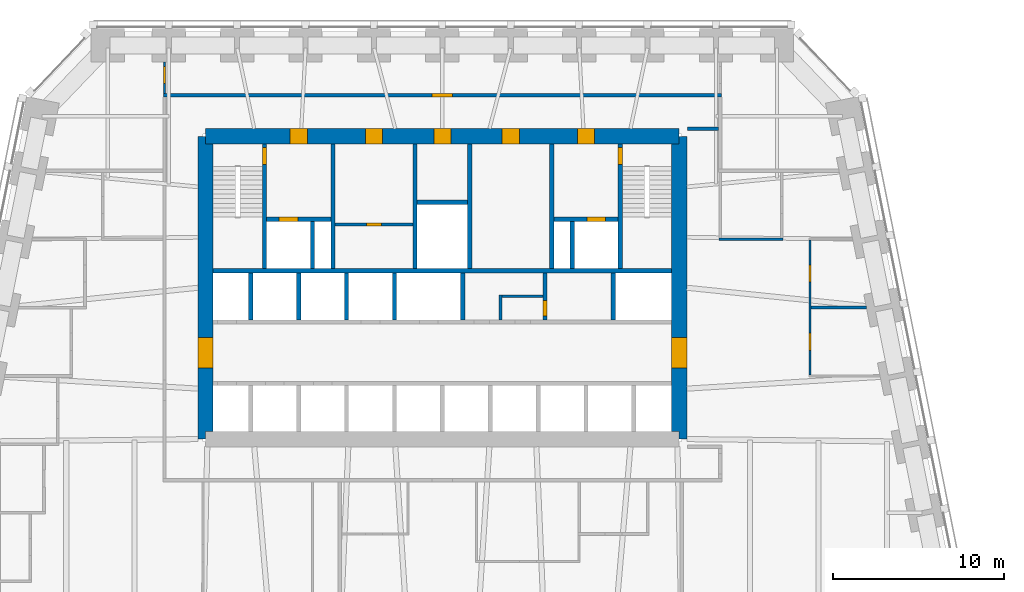
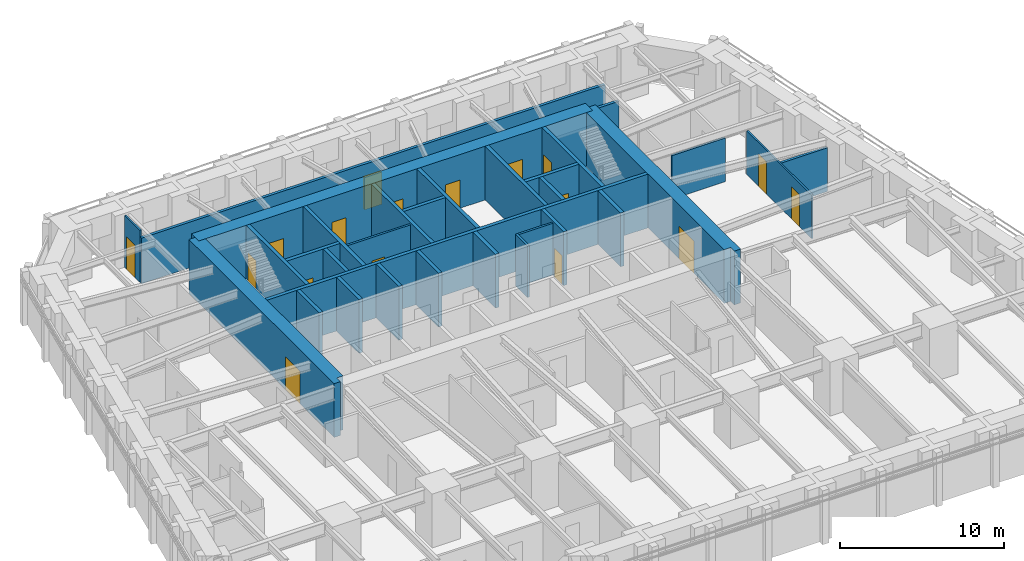
# One storey, part 7 of 10: 31 walls, 17 doors, 17 openings.
"""IFC4 building model written with IfcOpenShell, lengths in metres."""

from ifc_helpers import new_model, si_unit, direction, frame, frame_2d, origin, place, context, subcontext, project, spatial, polyline, rectangle, outline, extrude, material, layer, layer_set, type_object, element, fill, save


model = new_model("IFC4")

# Units and contexts
model_context = context("Model", 3, precision=1e-05, world=origin(), true_north=direction((0.0, 1.0)))
body_context = subcontext(model_context, "Body", "Model", "MODEL_VIEW")
ifc_project = project(units=[si_unit("LENGTHUNIT", "METRE"), si_unit("AREAUNIT", "SQUARE_METRE"), si_unit("VOLUMEUNIT", "CUBIC_METRE"), si_unit("PLANEANGLEUNIT", "RADIAN"), si_unit("MASSUNIT", "GRAM", prefix="KILO")], contexts=[model_context])

# Site, building, storey
site_placement = place(None, origin())
site = spatial("IfcSite", under=ifc_project, at=site_placement, CompositionType="ELEMENT")
building_placement = place(site_placement, origin())
building = spatial("IfcBuilding", under=site, at=building_placement, Name="Isbrekke Arena Tower", CompositionType="ELEMENT")
storey_placement = place(building_placement, frame((0.0, 0.0, 56.0)))
storey = spatial("IfcBuildingStorey", under=building, at=storey_placement, Name="L11", CompositionType="ELEMENT", Elevation=56.0)

# Wall, opening, door
ifc_material_1 = material(Name="Concrete B65 (C65/80)", Category="concrete")
ifc_layer_1 = layer(ifc_material_1, 0.89990234375)
ifc_layer_set_1 = layer_set([ifc_layer_1], Name="CW2 CORE WALL 900")
wall_type_1 = type_object("IfcWallType", Name="CW2 CORE WALL 900", PredefinedType="SHEAR", material=ifc_layer_set_1)
wall_1_placement = place(storey_placement, frame((13.85009765625, 6.14990234375, 0.0), z_axis=(0.0, 0.0, 1.0), x_axis=(0.0, 1.0, 0.0)))
wall_1 = element("IfcWall", 1, at=wall_1_placement, inside=storey, type_object=wall_type_1, Name="Core wall E L11", PredefinedType="SHEAR", context=body_context, shape_type="SweptSolid", body=[
    extrude(outline(polyline([(0.0, -0.449951171875), (17.7001953125, -0.449951171875), (17.7001953125, 0.0), (17.250244140625, 0.0), (17.250244140625, 0.449951171875), (0.449951171875, 0.449951171875), (0.449951171875, 0.0), (0.0, 0.0), (0.0, -0.449951171875)])), origin(), (0.0, 0.0, 1.0), 4.0),
])
opening_1_placement = place(wall_1_placement, frame((4.14990234375, 0.0, 0.0)))
opening_1 = element("IfcOpeningElement", 2, at=opening_1_placement, cuts=wall_1, Name="Opening D1", PredefinedType="OPENING", context=body_context, shape_type="SweptSolid", body=[
    extrude(rectangle(XDim=1.800048828125, YDim=2.39990234375, at=frame_2d((0.89990234375, 1.199951171875))), frame((0.0, 0.46484375, 0.0), z_axis=(0.0, -1.0, 0.0), x_axis=(1.0, 0.0, 0.0)), (0.0, 0.0, 1.0), 0.9296875),
])
ifc_material_2 = material(Name="Steel-framed glazed fire door", Category="steel")
door_type_1 = type_object("IfcDoorType", Name="D1 CORE LOBBY DOOR 1800 x 2400", OperationType="DOUBLE_DOOR_SINGLE_SWING", PredefinedType="DOOR", material=ifc_material_2)
door_1_placement = place(opening_1_placement, origin())
door_1 = element("IfcDoor", 3, at=door_1_placement, inside=storey, type_object=door_type_1, Name="D1 lift lobby door east L11", OperationType="DOUBLE_DOOR_SINGLE_SWING", OverallHeight=2.39990234375, OverallWidth=1.800048828125, PredefinedType="DOOR", context=body_context, shape_type="SweptSolid", body=[
    extrude(rectangle(XDim=1.800048828125, YDim=2.39990234375, at=frame_2d((0.89990234375, 1.199951171875))), frame((0.0, 0.44970703125, 0.0), z_axis=(0.0, -1.0, 0.0), x_axis=(1.0, 0.0, 0.0)), (0.0, 0.0, 1.0), 0.8994140625),
])
fill(opening_1, door_1)

# Wall, openings, doors
wall_2_placement = place(storey_placement, frame((13.85009765625, 23.85009765625, 0.0), z_axis=(0.0, 0.0, 1.0), x_axis=(-1.0, 0.0, 0.0)))
wall_2 = element("IfcWall", 4, at=wall_2_placement, inside=storey, type_object=wall_type_1, Name="Core wall N L11", PredefinedType="SHEAR", context=body_context, shape_type="SweptSolid", body=[
    extrude(rectangle(XDim=27.7001953125, YDim=0.89990234375, at=frame_2d((13.85009765625, 0.0))), origin(), (0.0, 0.0, 1.0), 4.0),
])
opening_2_placement = place(wall_2_placement, frame((21.75, 0.0, 0.0)))
opening_2 = element("IfcOpeningElement", 5, at=opening_2_placement, cuts=wall_2, Name="Opening D3", PredefinedType="OPENING", context=body_context, shape_type="SweptSolid", body=[
    extrude(rectangle(XDim=1.0, YDim=2.10009765625, at=frame_2d((0.5, 1.050048828125))), frame((0.0, 0.46484375, 0.0), z_axis=(0.0, -1.0, 0.0), x_axis=(1.0, 0.0, 0.0)), (0.0, 0.0, 1.0), 0.9296875),
])
opening_3_placement = place(wall_2_placement, frame((4.949951171875, 0.0, 0.0)))
opening_3 = element("IfcOpeningElement", 6, at=opening_3_placement, cuts=wall_2, Name="Opening D3", PredefinedType="OPENING", context=body_context, shape_type="SweptSolid", body=[
    extrude(rectangle(XDim=1.0, YDim=2.10009765625, at=frame_2d((0.5, 1.050048828125))), frame((0.0, 0.46484375, 0.0), z_axis=(0.0, -1.0, 0.0), x_axis=(1.0, 0.0, 0.0)), (0.0, 0.0, 1.0), 0.9296875),
])
opening_4_placement = place(wall_2_placement, frame((17.35009765625, 0.0, 0.0)))
opening_4 = element("IfcOpeningElement", 7, at=opening_4_placement, cuts=wall_2, Name="Opening D4", PredefinedType="OPENING", context=body_context, shape_type="SweptSolid", body=[
    extrude(rectangle(XDim=1.0, YDim=2.10009765625, at=frame_2d((0.5, 1.050048828125))), frame((0.0, 0.46484375, 0.0), z_axis=(0.0, -1.0, 0.0), x_axis=(1.0, 0.0, 0.0)), (0.0, 0.0, 1.0), 0.9296875),
])
opening_5_placement = place(wall_2_placement, frame((13.35009765625, 0.0, 0.0)))
opening_5 = element("IfcOpeningElement", 8, at=opening_5_placement, cuts=wall_2, Name="Opening D4", PredefinedType="OPENING", context=body_context, shape_type="SweptSolid", body=[
    extrude(rectangle(XDim=1.0, YDim=2.10009765625, at=frame_2d((0.5, 1.050048828125))), frame((0.0, 0.46484375, 0.0), z_axis=(0.0, -1.0, 0.0), x_axis=(1.0, 0.0, 0.0)), (0.0, 0.0, 1.0), 0.9296875),
])
opening_6_placement = place(wall_2_placement, frame((9.35009765625, 0.0, 0.0)))
opening_6 = element("IfcOpeningElement", 9, at=opening_6_placement, cuts=wall_2, Name="Opening D4", PredefinedType="OPENING", context=body_context, shape_type="SweptSolid", body=[
    extrude(rectangle(XDim=1.0, YDim=2.10009765625, at=frame_2d((0.5, 1.050048828125))), frame((0.0, 0.46484375, 0.0), z_axis=(0.0, -1.0, 0.0), x_axis=(1.0, 0.0, 0.0)), (0.0, 0.0, 1.0), 0.9296875),
])
ifc_material_3 = material(Name="Steel fire door", Category="steel")
door_type_2 = type_object("IfcDoorType", Name="D3 FIRE LOBBY DOOR 1000 x 2100", OperationType="SINGLE_SWING_RIGHT", PredefinedType="DOOR", material=ifc_material_3)
door_2_placement = place(opening_2_placement, origin())
door_2 = element("IfcDoor", 10, at=door_2_placement, inside=storey, type_object=door_type_2, Name="D3 fire-fighting lobby door L11", OperationType="SINGLE_SWING_RIGHT", OverallHeight=2.10009765625, OverallWidth=1.0, PredefinedType="DOOR", context=body_context, shape_type="SweptSolid", body=[
    extrude(rectangle(XDim=1.0, YDim=2.10009765625, at=frame_2d((0.5, 1.050048828125))), frame((0.0, 0.44970703125, 0.0), z_axis=(0.0, -1.0, 0.0), x_axis=(1.0, 0.0, 0.0)), (0.0, 0.0, 1.0), 0.8994140625),
])
fill(opening_2, door_2)
door_3_placement = place(opening_3_placement, origin())
door_3 = element("IfcDoor", 11, at=door_3_placement, inside=storey, type_object=door_type_2, Name="D3 fire-fighting lobby door L11", OperationType="SINGLE_SWING_RIGHT", OverallHeight=2.10009765625, OverallWidth=1.0, PredefinedType="DOOR", context=body_context, shape_type="SweptSolid", body=[
    extrude(rectangle(XDim=1.0, YDim=2.10009765625, at=frame_2d((0.5, 1.050048828125))), frame((0.0, 0.44970703125, 0.0), z_axis=(0.0, -1.0, 0.0), x_axis=(1.0, 0.0, 0.0)), (0.0, 0.0, 1.0), 0.8994140625),
])
fill(opening_3, door_3)
ifc_material_4 = material(Name="Timber door", Category="wood")
door_type_3 = type_object("IfcDoorType", Name="D4 WC DOOR 1000 x 2100", OperationType="SINGLE_SWING_LEFT", PredefinedType="DOOR", material=ifc_material_4)
door_4_placement = place(opening_4_placement, origin())
door_4 = element("IfcDoor", 12, at=door_4_placement, inside=storey, type_object=door_type_3, Name="D4 wc female door L11", OperationType="SINGLE_SWING_LEFT", OverallHeight=2.10009765625, OverallWidth=1.0, PredefinedType="DOOR", context=body_context, shape_type="SweptSolid", body=[
    extrude(rectangle(XDim=1.0, YDim=2.10009765625, at=frame_2d((0.5, 1.050048828125))), frame((0.0, 0.44970703125, 0.0), z_axis=(0.0, -1.0, 0.0), x_axis=(1.0, 0.0, 0.0)), (0.0, 0.0, 1.0), 0.8994140625),
])
fill(opening_4, door_4)
door_5_placement = place(opening_5_placement, origin())
door_5 = element("IfcDoor", 13, at=door_5_placement, inside=storey, type_object=door_type_3, Name="D4 accessible wc door L11", OperationType="SINGLE_SWING_LEFT", OverallHeight=2.10009765625, OverallWidth=1.0, PredefinedType="DOOR", context=body_context, shape_type="SweptSolid", body=[
    extrude(rectangle(XDim=1.0, YDim=2.10009765625, at=frame_2d((0.5, 1.050048828125))), frame((0.0, 0.44970703125, 0.0), z_axis=(0.0, -1.0, 0.0), x_axis=(1.0, 0.0, 0.0)), (0.0, 0.0, 1.0), 0.8994140625),
])
fill(opening_5, door_5)
door_6_placement = place(opening_6_placement, origin())
door_6 = element("IfcDoor", 14, at=door_6_placement, inside=storey, type_object=door_type_3, Name="D4 wc male door L11", OperationType="SINGLE_SWING_LEFT", OverallHeight=2.10009765625, OverallWidth=1.0, PredefinedType="DOOR", context=body_context, shape_type="SweptSolid", body=[
    extrude(rectangle(XDim=1.0, YDim=2.10009765625, at=frame_2d((0.5, 1.050048828125))), frame((0.0, 0.44970703125, 0.0), z_axis=(0.0, -1.0, 0.0), x_axis=(1.0, 0.0, 0.0)), (0.0, 0.0, 1.0), 0.8994140625),
])
fill(opening_6, door_6)

# Wall, opening, door
wall_3_placement = place(storey_placement, frame((-13.85009765625, 23.85009765625, 0.0), z_axis=(0.0, 0.0, 1.0), x_axis=(0.0, -1.0, 0.0)))
wall_3 = element("IfcWall", 15, at=wall_3_placement, inside=storey, type_object=wall_type_1, Name="Core wall W L11", PredefinedType="SHEAR", context=body_context, shape_type="SweptSolid", body=[
    extrude(outline(polyline([(0.0, -0.449951171875), (17.7001953125, -0.449951171875), (17.7001953125, 0.0), (17.250244140625, 0.0), (17.250244140625, 0.449951171875), (0.449951171875, 0.449951171875), (0.449951171875, 0.0), (0.0, 0.0), (0.0, -0.449951171875)])), origin(), (0.0, 0.0, 1.0), 4.0),
])
opening_7_placement = place(wall_3_placement, frame((11.75, 0.0, 0.0)))
opening_7 = element("IfcOpeningElement", 16, at=opening_7_placement, cuts=wall_3, Name="Opening D1", PredefinedType="OPENING", context=body_context, shape_type="SweptSolid", body=[
    extrude(rectangle(XDim=1.800048828125, YDim=2.39990234375, at=frame_2d((0.89990234375, 1.199951171875))), frame((0.0, 0.46484375, 0.0), z_axis=(0.0, -1.0, 0.0), x_axis=(1.0, 0.0, 0.0)), (0.0, 0.0, 1.0), 0.9296875),
])
door_7_placement = place(opening_7_placement, origin())
door_7 = element("IfcDoor", 17, at=door_7_placement, inside=storey, type_object=door_type_1, Name="D1 lift lobby door west L11", OperationType="DOUBLE_DOOR_SINGLE_SWING", OverallHeight=2.39990234375, OverallWidth=1.800048828125, PredefinedType="DOOR", context=body_context, shape_type="SweptSolid", body=[
    extrude(rectangle(XDim=1.800048828125, YDim=2.39990234375, at=frame_2d((0.89990234375, 1.199951171875))), frame((0.0, 0.44970703125, 0.0), z_axis=(0.0, -1.0, 0.0), x_axis=(1.0, 0.0, 0.0)), (0.0, 0.0, 1.0), 0.8994140625),
])
fill(opening_7, door_7)

# Walls
ifc_material_5 = material(Name="Concrete B45 (C45/55)", Category="concrete")
ifc_layer_2 = layer(ifc_material_5, 0.25)
ifc_layer_set_2 = layer_set([ifc_layer_2], Name="CW6 SHAFT WALL 250")
wall_type_2 = type_object("IfcWallType", Name="CW6 SHAFT WALL 250", PredefinedType="SHEAR", material=ifc_layer_set_2)
wall_4_placement = place(storey_placement, frame((-13.39990234375, 16.0, 0.0), z_axis=(0.0, 0.0, 1.0), x_axis=(1.0, 0.0, 0.0)))
element("IfcWall", 18, at=wall_4_placement, inside=storey, type_object=wall_type_2, Name="Core wall NB L11", PredefinedType="SHEAR", context=body_context, shape_type="SweptSolid", body=[
    extrude(rectangle(XDim=26.7998046875, YDim=0.25, at=frame_2d((13.39990234375, 0.0))), origin(), (0.0, 0.0, 1.0), 4.0),
])
for number, where, z_axis, x_axis, name in (
    (19, (-11.199951171875, 13.125, 0.0), (0.0, 0.0, 1.0), (0.0, 1.0, 0.0), "Core wall SN01 L11"),
    (20, (-8.39990234375, 13.125, 0.0), (0.0, 0.0, 1.0), (0.0, 1.0, 0.0), "Core wall SN02 L11"),
    (21, (-5.60009765625, 13.125, 0.0), (0.0, 0.0, 1.0), (0.0, 1.0, 0.0), "Core wall SN03 L11"),
    (22, (-2.800048828125, 13.125, 0.0), (0.0, 0.0, 1.0), (0.0, 1.0, 0.0), "Core wall SN04 L11"),
    (23, (1.199951171875, 13.125, 0.0), (0.0, 0.0, 1.0), (0.0, 1.0, 0.0), "Core wall SN05 L11"),
):
    element("IfcWall", number, at=place(storey_placement, frame(where, z_axis=z_axis, x_axis=x_axis)), inside=storey, type_object=wall_type_2, Name=name, PredefinedType="SHEAR", context=body_context, shape_type="SweptSolid", body=[
        extrude(rectangle(XDim=2.75, YDim=0.25, at=frame_2d((1.375, 0.0))), origin(), (0.0, 0.0, 1.0), 4.0),
    ])

# Wall, opening, door
wall_5_placement = place(storey_placement, frame((6.0, 13.125, 0.0), z_axis=(0.0, 0.0, 1.0), x_axis=(0.0, 1.0, 0.0)))
wall_5 = element("IfcWall", 24, at=wall_5_placement, inside=storey, type_object=wall_type_2, Name="Core wall SN06 L11", PredefinedType="SHEAR", context=body_context, shape_type="SweptSolid", body=[
    extrude(rectangle(XDim=2.75, YDim=0.25, at=frame_2d((1.375, 0.0))), origin(), (0.0, 0.0, 1.0), 4.0),
])
opening_8_placement = place(wall_5_placement, frame((0.22509765625, 0.0, 0.0)))
opening_8 = element("IfcOpeningElement", 25, at=opening_8_placement, cuts=wall_5, Name="Opening D5", PredefinedType="OPENING", context=body_context, shape_type="SweptSolid", body=[
    extrude(rectangle(XDim=0.89990234375, YDim=2.10009765625, at=frame_2d((0.449951171875, 1.050048828125))), frame((0.0, 0.139892578125, 0.0), z_axis=(0.0, -1.0, 0.0), x_axis=(1.0, 0.0, 0.0)), (0.0, 0.0, 1.0), 0.27978515625),
])
ifc_material_6 = material(Name="Steel fire door", Category="steel")
door_type_4 = type_object("IfcDoorType", Name="D5 SERVICE DOOR 900 x 2100", OperationType="SINGLE_SWING_LEFT", PredefinedType="DOOR", material=ifc_material_6)
door_8_placement = place(opening_8_placement, frame((0.89990234375, 0.0, 0.0), z_axis=(0.0, 0.0, 1.0), x_axis=(-1.0, 0.0, 0.0)))
door_8 = element("IfcDoor", 26, at=door_8_placement, inside=storey, type_object=door_type_4, Name="D5 store door L11", OperationType="SINGLE_SWING_LEFT", OverallHeight=2.10009765625, OverallWidth=0.89990234375, PredefinedType="DOOR", context=body_context, shape_type="SweptSolid", body=[
    extrude(rectangle(XDim=0.89990234375, YDim=2.10009765625, at=frame_2d((0.449951171875, 1.050048828125))), frame((0.0, 0.124755859375, 0.0), z_axis=(0.0, -1.0, 0.0), x_axis=(1.0, 0.0, 0.0)), (0.0, 0.0, 1.0), 0.24951171875),
])
fill(opening_8, door_8)

# Wall
wall_6_placement = place(storey_placement, frame((10.0, 13.125, 0.0), z_axis=(0.0, 0.0, 1.0), x_axis=(0.0, 1.0, 0.0)))
element("IfcWall", 27, at=wall_6_placement, inside=storey, type_object=wall_type_2, Name="Core wall SN07 L11", PredefinedType="SHEAR", context=body_context, shape_type="SweptSolid", body=[
    extrude(rectangle(XDim=2.75, YDim=0.25, at=frame_2d((1.375, 0.0))), origin(), (0.0, 0.0, 1.0), 4.0),
])

# Wall, opening, door
wall_7_placement = place(storey_placement, frame((-10.39990234375, 16.125, 0.0), z_axis=(0.0, 0.0, 1.0), x_axis=(0.0, 1.0, 0.0)))
wall_7 = element("IfcWall", 28, at=wall_7_placement, inside=storey, type_object=wall_type_2, Name="Core wall NV01 L11", PredefinedType="SHEAR", context=body_context, shape_type="SweptSolid", body=[
    extrude(rectangle(XDim=7.27490234375, YDim=0.25, at=frame_2d((3.637451171875, 0.0))), origin(), (0.0, 0.0, 1.0), 4.0),
])
opening_9_placement = place(wall_7_placement, frame((6.074951171875, 0.0, 0.0)))
opening_9 = element("IfcOpeningElement", 29, at=opening_9_placement, cuts=wall_7, Name="Opening D2", PredefinedType="OPENING", context=body_context, shape_type="SweptSolid", body=[
    extrude(rectangle(XDim=1.0, YDim=2.10009765625, at=frame_2d((0.5, 1.050048828125))), frame((0.0, 0.139892578125, 0.0), z_axis=(0.0, -1.0, 0.0), x_axis=(1.0, 0.0, 0.0)), (0.0, 0.0, 1.0), 0.27978515625),
])
ifc_material_7 = material(Name="Steel fire door", Category="steel")
door_type_5 = type_object("IfcDoorType", Name="D2 STAIR DOOR 1000 x 2100", OperationType="SINGLE_SWING_LEFT", PredefinedType="DOOR", material=ifc_material_7)
door_9_placement = place(opening_9_placement, origin())
door_9 = element("IfcDoor", 30, at=door_9_placement, inside=storey, type_object=door_type_5, Name="D2 stair door ST1 L11", OperationType="SINGLE_SWING_LEFT", OverallHeight=2.10009765625, OverallWidth=1.0, PredefinedType="DOOR", context=body_context, shape_type="SweptSolid", body=[
    extrude(rectangle(XDim=1.0, YDim=2.10009765625, at=frame_2d((0.5, 1.050048828125))), frame((0.0, 0.124755859375, 0.0), z_axis=(0.0, -1.0, 0.0), x_axis=(1.0, 0.0, 0.0)), (0.0, 0.0, 1.0), 0.24951171875),
])
fill(opening_9, door_9)

# Walls
for number, where, z_axis, x_axis, name in (
    (31, (-6.39990234375, 16.125, 0.0), (0.0, 0.0, 1.0), (0.0, 1.0, 0.0), "Core wall NV02 L11"),
    (32, (-1.60009765625, 16.125, 0.0), (0.0, 0.0, 1.0), (0.0, 1.0, 0.0), "Core wall NV03 L11"),
    (33, (1.60009765625, 16.125, 0.0), (0.0, 0.0, 1.0), (0.0, 1.0, 0.0), "Core wall NV04 L11"),
    (34, (6.39990234375, 16.125, 0.0), (0.0, 0.0, 1.0), (0.0, 1.0, 0.0), "Core wall NV05 L11"),
):
    element("IfcWall", number, at=place(storey_placement, frame(where, z_axis=z_axis, x_axis=x_axis)), inside=storey, type_object=wall_type_2, Name=name, PredefinedType="SHEAR", context=body_context, shape_type="SweptSolid", body=[
        extrude(rectangle(XDim=7.27490234375, YDim=0.25, at=frame_2d((3.637451171875, 0.0))), origin(), (0.0, 0.0, 1.0), 4.0),
    ])

# Wall, opening, door
wall_8_placement = place(storey_placement, frame((10.39990234375, 16.125, 0.0), z_axis=(0.0, 0.0, 1.0), x_axis=(0.0, 1.0, 0.0)))
wall_8 = element("IfcWall", 35, at=wall_8_placement, inside=storey, type_object=wall_type_2, Name="Core wall NV06 L11", PredefinedType="SHEAR", context=body_context, shape_type="SweptSolid", body=[
    extrude(rectangle(XDim=7.27490234375, YDim=0.25, at=frame_2d((3.637451171875, 0.0))), origin(), (0.0, 0.0, 1.0), 4.0),
])
opening_10_placement = place(wall_8_placement, frame((6.074951171875, 0.0, 0.0)))
opening_10 = element("IfcOpeningElement", 36, at=opening_10_placement, cuts=wall_8, Name="Opening D2", PredefinedType="OPENING", context=body_context, shape_type="SweptSolid", body=[
    extrude(rectangle(XDim=1.0, YDim=2.10009765625, at=frame_2d((0.5, 1.050048828125))), frame((0.0, 0.139892578125, 0.0), z_axis=(0.0, -1.0, 0.0), x_axis=(1.0, 0.0, 0.0)), (0.0, 0.0, 1.0), 0.27978515625),
])
door_10_placement = place(opening_10_placement, origin())
door_10 = element("IfcDoor", 37, at=door_10_placement, inside=storey, type_object=door_type_5, Name="D2 stair door ST2 L11", OperationType="SINGLE_SWING_LEFT", OverallHeight=2.10009765625, OverallWidth=1.0, PredefinedType="DOOR", context=body_context, shape_type="SweptSolid", body=[
    extrude(rectangle(XDim=1.0, YDim=2.10009765625, at=frame_2d((0.5, 1.050048828125))), frame((0.0, 0.124755859375, 0.0), z_axis=(0.0, -1.0, 0.0), x_axis=(1.0, 0.0, 0.0)), (0.0, 0.0, 1.0), 0.24951171875),
])
fill(opening_10, door_10)

wall_9_placement = place(storey_placement, frame((-10.27490234375, 19.0, 0.0), z_axis=(0.0, 0.0, 1.0), x_axis=(1.0, 0.0, 0.0)))
wall_9 = element("IfcWall", 38, at=wall_9_placement, inside=storey, type_object=wall_type_2, Name="Core wall NFW L11", PredefinedType="SHEAR", context=body_context, shape_type="SweptSolid", body=[
    extrude(rectangle(XDim=3.75, YDim=0.25, at=frame_2d((1.875, 0.0))), origin(), (0.0, 0.0, 1.0), 4.0),
])
opening_11_placement = place(wall_9_placement, frame((0.72509765625, 0.0, 0.0)))
opening_11 = element("IfcOpeningElement", 39, at=opening_11_placement, cuts=wall_9, Name="Opening LD2", PredefinedType="OPENING", context=body_context, shape_type="SweptSolid", body=[
    extrude(rectangle(XDim=1.10009765625, YDim=2.10009765625, at=frame_2d((0.550048828125, 1.050048828125))), frame((0.0, 0.139892578125, 0.0), z_axis=(0.0, -1.0, 0.0), x_axis=(1.0, 0.0, 0.0)), (0.0, 0.0, 1.0), 0.27978515625),
])
ifc_material_8 = material(Name="Stainless steel lift landing door", Category="steel")
door_type_6 = type_object("IfcDoorType", Name="LD2 FIRE-FIGHTING LIFT LANDING DOOR 1100 x 2100", OperationType="SLIDING_TO_RIGHT", PredefinedType="DOOR", material=ifc_material_8)
door_11_placement = place(opening_11_placement, origin())
door_11 = element("IfcDoor", 40, at=door_11_placement, inside=storey, type_object=door_type_6, Name="LD2 lift landing door LF L11", OperationType="SLIDING_TO_RIGHT", OverallHeight=2.10009765625, OverallWidth=1.10009765625, PredefinedType="DOOR", context=body_context, shape_type="SweptSolid", body=[
    extrude(rectangle(XDim=1.10009765625, YDim=2.10009765625, at=frame_2d((0.550048828125, 1.050048828125))), frame((0.0, 0.124755859375, 0.0), z_axis=(0.0, -1.0, 0.0), x_axis=(1.0, 0.0, 0.0)), (0.0, 0.0, 1.0), 0.24951171875),
])
fill(opening_11, door_11)

wall_10_placement = place(storey_placement, frame((6.52490234375, 19.0, 0.0), z_axis=(0.0, 0.0, 1.0), x_axis=(1.0, 0.0, 0.0)))
wall_10 = element("IfcWall", 41, at=wall_10_placement, inside=storey, type_object=wall_type_2, Name="Core wall NFE L11", PredefinedType="SHEAR", context=body_context, shape_type="SweptSolid", body=[
    extrude(rectangle(XDim=3.75, YDim=0.25, at=frame_2d((1.875, 0.0))), origin(), (0.0, 0.0, 1.0), 4.0),
])
opening_12_placement = place(wall_10_placement, frame((1.925048828125, 0.0, 0.0)))
opening_12 = element("IfcOpeningElement", 42, at=opening_12_placement, cuts=wall_10, Name="Opening LD2", PredefinedType="OPENING", context=body_context, shape_type="SweptSolid", body=[
    extrude(rectangle(XDim=1.10009765625, YDim=2.10009765625, at=frame_2d((0.550048828125, 1.050048828125))), frame((0.0, 0.139892578125, 0.0), z_axis=(0.0, -1.0, 0.0), x_axis=(1.0, 0.0, 0.0)), (0.0, 0.0, 1.0), 0.27978515625),
])
door_12_placement = place(opening_12_placement, origin())
door_12 = element("IfcDoor", 43, at=door_12_placement, inside=storey, type_object=door_type_6, Name="LD2 lift landing door LF L11", OperationType="SLIDING_TO_RIGHT", OverallHeight=2.10009765625, OverallWidth=1.10009765625, PredefinedType="DOOR", context=body_context, shape_type="SweptSolid", body=[
    extrude(rectangle(XDim=1.10009765625, YDim=2.10009765625, at=frame_2d((0.550048828125, 1.050048828125))), frame((0.0, 0.124755859375, 0.0), z_axis=(0.0, -1.0, 0.0), x_axis=(1.0, 0.0, 0.0)), (0.0, 0.0, 1.0), 0.24951171875),
])
fill(opening_12, door_12)

# Walls
for number, where, z_axis, x_axis, name in (
    (44, (-7.60009765625, 16.125, 0.0), (0.0, 0.0, 1.0), (0.0, 1.0, 0.0), "Core wall NFS1 L11"),
    (45, (7.60009765625, 16.125, 0.0), (0.0, 0.0, 1.0), (0.0, 1.0, 0.0), "Core wall NFS2 L11"),
):
    element("IfcWall", number, at=place(storey_placement, frame(where, z_axis=z_axis, x_axis=x_axis)), inside=storey, type_object=wall_type_2, Name=name, PredefinedType="SHEAR", context=body_context, shape_type="SweptSolid", body=[
        extrude(rectangle(XDim=2.75, YDim=0.25, at=frame_2d((1.375, 0.0))), origin(), (0.0, 0.0, 1.0), 4.0),
    ])
wall_11_placement = place(storey_placement, frame((-1.47509765625, 20.0, 0.0), z_axis=(0.0, 0.0, 1.0), x_axis=(1.0, 0.0, 0.0)))
element("IfcWall", 46, at=wall_11_placement, inside=storey, type_object=wall_type_2, Name="Core wall NWC L11", PredefinedType="SHEAR", context=body_context, shape_type="SweptSolid", body=[
    extrude(rectangle(XDim=2.9501953125, YDim=0.25, at=frame_2d((1.47509765625, 0.0))), origin(), (0.0, 0.0, 1.0), 4.0),
])
ifc_material_9 = material(Name="Gypsum board partition on steel studs", Category="steel")
ifc_layer_3 = layer(ifc_material_9, 0.14990234375)
ifc_layer_set_3 = layer_set([ifc_layer_3], Name="IW1 PARTITION 150")
wall_type_3 = type_object("IfcWallType", Name="IW1 PARTITION 150", PredefinedType="PARTITIONING", material=ifc_layer_set_3)
wall_12_placement = place(storey_placement, frame((16.175048828125, 17.840087890625, 0.0), z_axis=(0.0, 0.0, 1.0), x_axis=(1.0, 0.0, 0.0)))
element("IfcWall", 47, at=wall_12_placement, inside=storey, type_object=wall_type_3, Name="IW1 partition 150 L11", PredefinedType="PARTITIONING", context=body_context, shape_type="SweptSolid", body=[
    extrude(rectangle(XDim=3.75, YDim=0.14990234375, at=frame_2d((1.875, 0.0))), origin(), (0.0, 0.0, 1.0), 3.25),
])

# Wall, opening, door
ifc_material_10 = material(Name="Frameless glazed partition, laminated acoustic glass", Category="glass")
ifc_layer_4 = layer(ifc_material_10, 0.1201171875)
ifc_layer_set_4 = layer_set([ifc_layer_4], Name="IW2 GLAZED PARTITION 120")
wall_type_4 = type_object("IfcWallType", Name="IW2 GLAZED PARTITION 120", PredefinedType="PARTITIONING", material=ifc_layer_set_4)
wall_13_placement = place(storey_placement, frame((-16.25, 26.35009765625, 0.0), z_axis=(0.0, 0.0, 1.0), x_axis=(0.0, 1.0, 0.0)))
wall_13 = element("IfcWall", 48, at=wall_13_placement, inside=storey, type_object=wall_type_4, Name="IW2 glazed partition 120 L11", PredefinedType="PARTITIONING", context=body_context, shape_type="SweptSolid", body=[
    extrude(rectangle(XDim=1.849853515625, YDim=0.1201171875, at=frame_2d((0.9248046875, 0.0))), origin(), (0.0, 0.0, 1.0), 3.85009765625),
])
opening_13_placement = place(wall_13_placement, frame((0.60009765625, 0.0, 0.0)))
opening_13 = element("IfcOpeningElement", 49, at=opening_13_placement, cuts=wall_13, Name="Opening D11", PredefinedType="OPENING", context=body_context, shape_type="SweptSolid", body=[
    extrude(rectangle(XDim=1.0, YDim=2.39990234375, at=frame_2d((0.5, 1.199951171875))), frame((0.0, 0.074951171875, 0.0), z_axis=(0.0, -1.0, 0.0), x_axis=(1.0, 0.0, 0.0)), (0.0, 0.0, 1.0), 0.14990234375),
])
ifc_material_11 = material(Name="Frameless glazed door", Category="glass")
door_type_7 = type_object("IfcDoorType", Name="D11 GLAZED MEETING ROOM DOOR 1000 x 2400", OperationType="SINGLE_SWING_RIGHT", PredefinedType="DOOR", material=ifc_material_11)
door_13_placement = place(opening_13_placement, origin())
door_13 = element("IfcDoor", 50, at=door_13_placement, inside=storey, type_object=door_type_7, Name="D11 meeting room door L11", OperationType="SINGLE_SWING_RIGHT", OverallHeight=2.39990234375, OverallWidth=1.0, PredefinedType="DOOR", context=body_context, shape_type="SweptSolid", body=[
    extrude(rectangle(XDim=1.0, YDim=2.39990234375, at=frame_2d((0.5, 1.199951171875))), frame((0.0, 0.059814453125, 0.0), z_axis=(0.0, -1.0, 0.0), x_axis=(1.0, 0.0, 0.0)), (0.0, 0.0, 1.0), 0.11962890625),
])
fill(opening_13, door_13)

# Wall, openings, doors
wall_14_placement = place(storey_placement, frame((21.5, 9.89990234375, 0.0), z_axis=(0.0, 0.0, 1.0), x_axis=(0.0, 1.0, 0.0)))
wall_14 = element("IfcWall", 51, at=wall_14_placement, inside=storey, type_object=wall_type_4, Name="IW2 glazed partition 120 L11", PredefinedType="PARTITIONING", context=body_context, shape_type="SweptSolid", body=[
    extrude(rectangle(XDim=7.880126953125, YDim=0.1201171875, at=frame_2d((3.93994140625, 0.0))), origin(), (0.0, 0.0, 1.0), 3.25),
])
opening_14_placement = place(wall_14_placement, frame((1.43994140625, 0.0, 0.0)))
opening_14 = element("IfcOpeningElement", 52, at=opening_14_placement, cuts=wall_14, Name="Opening D11", PredefinedType="OPENING", context=body_context, shape_type="SweptSolid", body=[
    extrude(rectangle(XDim=1.0, YDim=2.39990234375, at=frame_2d((0.5, 1.199951171875))), frame((0.0, 0.074951171875, 0.0), z_axis=(0.0, -1.0, 0.0), x_axis=(1.0, 0.0, 0.0)), (0.0, 0.0, 1.0), 0.14990234375),
])
opening_15_placement = place(wall_14_placement, frame((5.43994140625, 0.0, 0.0)))
opening_15 = element("IfcOpeningElement", 53, at=opening_15_placement, cuts=wall_14, Name="Opening D11", PredefinedType="OPENING", context=body_context, shape_type="SweptSolid", body=[
    extrude(rectangle(XDim=1.0, YDim=2.39990234375, at=frame_2d((0.5, 1.199951171875))), frame((0.0, 0.074951171875, 0.0), z_axis=(0.0, -1.0, 0.0), x_axis=(1.0, 0.0, 0.0)), (0.0, 0.0, 1.0), 0.14990234375),
])
door_14_placement = place(opening_14_placement, origin())
door_14 = element("IfcDoor", 54, at=door_14_placement, inside=storey, type_object=door_type_7, Name="D11 meeting room door L11", OperationType="SINGLE_SWING_RIGHT", OverallHeight=2.39990234375, OverallWidth=1.0, PredefinedType="DOOR", context=body_context, shape_type="SweptSolid", body=[
    extrude(rectangle(XDim=1.0, YDim=2.39990234375, at=frame_2d((0.5, 1.199951171875))), frame((0.0, 0.059814453125, 0.0), z_axis=(0.0, -1.0, 0.0), x_axis=(1.0, 0.0, 0.0)), (0.0, 0.0, 1.0), 0.11962890625),
])
fill(opening_14, door_14)
door_15_placement = place(opening_15_placement, origin())
door_15 = element("IfcDoor", 55, at=door_15_placement, inside=storey, type_object=door_type_7, Name="D11 meeting room door L11", OperationType="SINGLE_SWING_RIGHT", OverallHeight=2.39990234375, OverallWidth=1.0, PredefinedType="DOOR", context=body_context, shape_type="SweptSolid", body=[
    extrude(rectangle(XDim=1.0, YDim=2.39990234375, at=frame_2d((0.5, 1.199951171875))), frame((0.0, 0.059814453125, 0.0), z_axis=(0.0, -1.0, 0.0), x_axis=(1.0, 0.0, 0.0)), (0.0, 0.0, 1.0), 0.11962890625),
])
fill(opening_15, door_15)

# Wall
ifc_material_12 = material(Name="Gypsum board fire-cell wall on steel studs, two layers each side", Category="steel")
ifc_layer_5 = layer(ifc_material_12, 0.199951171875)
ifc_layer_set_5 = layer_set([ifc_layer_5], Name="IW3 FIRE-CELL WALL 200")
wall_type_5 = type_object("IfcWallType", Name="IW3 FIRE-CELL WALL 200", PredefinedType="PARTITIONING", material=ifc_layer_set_5)
wall_15_placement = place(storey_placement, frame((14.330078125, 24.300048828125, 0.0), z_axis=(0.0, 0.0, 1.0), x_axis=(1.0, 0.0, 0.0)))
element("IfcWall", 56, at=wall_15_placement, inside=storey, type_object=wall_type_5, Name="IW3 fire-cell wall 200 L11", PredefinedType="PARTITIONING", context=body_context, shape_type="SweptSolid", body=[
    extrude(rectangle(XDim=1.81982421875, YDim=0.199951171875, at=frame_2d((0.909912109375, 0.0))), origin(), (0.0, 0.0, 1.0), 3.39990234375),
])

# Wall, opening, door
wall_16_placement = place(storey_placement, frame((-16.31005859375, 26.25, 0.0), z_axis=(0.0, 0.0, 1.0), x_axis=(1.0, 0.0, 0.0)))
wall_16 = element("IfcWall", 57, at=wall_16_placement, inside=storey, type_object=wall_type_5, Name="IW3 fire-cell wall 200 L11", PredefinedType="PARTITIONING", context=body_context, shape_type="SweptSolid", body=[
    extrude(rectangle(XDim=32.635009765625, YDim=0.199951171875, at=frame_2d((16.3173828125, 0.0))), origin(), (0.0, 0.0, 1.0), 3.39990234375),
])
opening_16_placement = place(wall_16_placement, frame((15.7099609375, 0.0, 0.0)))
opening_16 = element("IfcOpeningElement", 58, at=opening_16_placement, cuts=wall_16, Name="Opening D12", PredefinedType="OPENING", context=body_context, shape_type="SweptSolid", body=[
    extrude(rectangle(XDim=1.199951171875, YDim=2.39990234375, at=frame_2d((0.60009765625, 1.199951171875))), frame((0.0, 0.11474609375, 0.0), z_axis=(0.0, -1.0, 0.0), x_axis=(1.0, 0.0, 0.0)), (0.0, 0.0, 1.0), 0.229736328125),
])
ifc_material_13 = material(Name="Timber fire door with vision panel", Category="wood")
door_type_8 = type_object("IfcDoorType", Name="D12 SUITE ENTRANCE DOOR 1200 x 2400", OperationType="SINGLE_SWING_LEFT", PredefinedType="DOOR", material=ifc_material_13)
door_16_placement = place(opening_16_placement, origin())
door_16 = element("IfcDoor", 59, at=door_16_placement, inside=storey, type_object=door_type_8, Name="D12 suite entrance N door L11", OperationType="SINGLE_SWING_LEFT", OverallHeight=2.39990234375, OverallWidth=1.199951171875, PredefinedType="DOOR", context=body_context, shape_type="SweptSolid", body=[
    extrude(rectangle(XDim=1.199951171875, YDim=2.39990234375, at=frame_2d((0.60009765625, 1.199951171875))), frame((0.0, 0.099609375, 0.0), z_axis=(0.0, -1.0, 0.0), x_axis=(1.0, 0.0, 0.0)), (0.0, 0.0, 1.0), 0.199462890625),
])
fill(opening_16, door_16)

# Wall
ifc_material_14 = material(Name="Gypsum board acoustic partition on twin steel studs", Category="steel")
ifc_layer_6 = layer(ifc_material_14, 0.175048828125)
ifc_layer_set_6 = layer_set([ifc_layer_6], Name="IW4 ACOUSTIC PARTITION 175")
wall_type_6 = type_object("IfcWallType", Name="IW4 ACOUSTIC PARTITION 175", PredefinedType="PARTITIONING", material=ifc_layer_set_6)
wall_17_placement = place(storey_placement, frame((21.56005859375, 13.840087890625, 0.0), z_axis=(0.0, 0.0, 1.0), x_axis=(1.0, 0.0, 0.0)))
element("IfcWall", 60, at=wall_17_placement, inside=storey, type_object=wall_type_6, Name="IW4 acoustic partition 175 L11", PredefinedType="PARTITIONING", context=body_context, shape_type="SweptSolid", body=[
    extrude(rectangle(XDim=3.236328125, YDim=0.175048828125, at=frame_2d((1.6181640625, 0.0))), origin(), (0.0, 0.0, 1.0), 3.25),
])

# Wall, opening, door
ifc_material_15 = material(Name="Gypsum board fire-rated partition on steel studs, two layers each side", Category="steel")
ifc_layer_7 = layer(ifc_material_15, 0.14990234375)
ifc_layer_set_7 = layer_set([ifc_layer_7], Name="IW5 FIRE-RATED PARTITION 150")
wall_type_7 = type_object("IfcWallType", Name="IW5 FIRE-RATED PARTITION 150", PredefinedType="PARTITIONING", material=ifc_layer_set_7)
wall_18_placement = place(storey_placement, frame((-6.27490234375, 18.699951171875, 0.0), z_axis=(0.0, 0.0, 1.0), x_axis=(1.0, 0.0, 0.0)))
wall_18 = element("IfcWall", 61, at=wall_18_placement, inside=storey, type_object=wall_type_7, Name="IW5 fire-rated partition L11 cleaner's store F", PredefinedType="PARTITIONING", context=body_context, shape_type="SweptSolid", body=[
    extrude(rectangle(XDim=4.5498046875, YDim=0.14990234375, at=frame_2d((2.27490234375, 0.0))), origin(), (0.0, 0.0, 1.0), 3.85009765625),
])
opening_17_placement = place(wall_18_placement, frame((1.824951171875, 0.0, 0.0)))
opening_17 = element("IfcOpeningElement", 62, at=opening_17_placement, cuts=wall_18, Name="Opening D5", PredefinedType="OPENING", context=body_context, shape_type="SweptSolid", body=[
    extrude(rectangle(XDim=0.89990234375, YDim=2.10009765625, at=frame_2d((0.449951171875, 1.050048828125))), frame((0.0, 0.08984375, 0.0), z_axis=(0.0, -1.0, 0.0), x_axis=(1.0, 0.0, 0.0)), (0.0, 0.0, 1.0), 0.1796875),
])
door_17_placement = place(opening_17_placement, origin())
door_17 = element("IfcDoor", 63, at=door_17_placement, inside=storey, type_object=door_type_4, Name="D5 cleaner's store door L11", OperationType="SINGLE_SWING_LEFT", OverallHeight=2.10009765625, OverallWidth=0.89990234375, PredefinedType="DOOR", context=body_context, shape_type="SweptSolid", body=[
    extrude(rectangle(XDim=0.89990234375, YDim=2.10009765625, at=frame_2d((0.449951171875, 1.050048828125))), frame((0.0, 0.07470703125, 0.0), z_axis=(0.0, -1.0, 0.0), x_axis=(1.0, 0.0, 0.0)), (0.0, 0.0, 1.0), 0.1494140625),
])
fill(opening_17, door_17)

# Walls
wall_19_placement = place(storey_placement, frame((3.39990234375, 13.125, 0.0), z_axis=(0.0, 0.0, 1.0), x_axis=(0.0, 1.0, 0.0)))
element("IfcWall", 64, at=wall_19_placement, inside=storey, type_object=wall_type_7, Name="IW5 fire-rated partition L11 core service rooms 1", PredefinedType="PARTITIONING", context=body_context, shape_type="SweptSolid", body=[
    extrude(rectangle(XDim=1.449951171875, YDim=0.14990234375, at=frame_2d((0.72509765625, 0.0))), origin(), (0.0, 0.0, 1.0), 3.85009765625),
])
wall_20_placement = place(storey_placement, frame((3.47509765625, 14.5, 0.0), z_axis=(0.0, 0.0, 1.0), x_axis=(1.0, 0.0, 0.0)))
element("IfcWall", 65, at=wall_20_placement, inside=storey, type_object=wall_type_7, Name="IW5 fire-rated partition L11 core service rooms 2", PredefinedType="PARTITIONING", context=body_context, shape_type="SweptSolid", body=[
    extrude(rectangle(XDim=2.39990234375, YDim=0.14990234375, at=frame_2d((1.199951171875, 0.0))), origin(), (0.0, 0.0, 1.0), 3.85009765625),
])

save(model, "model.ifc")
